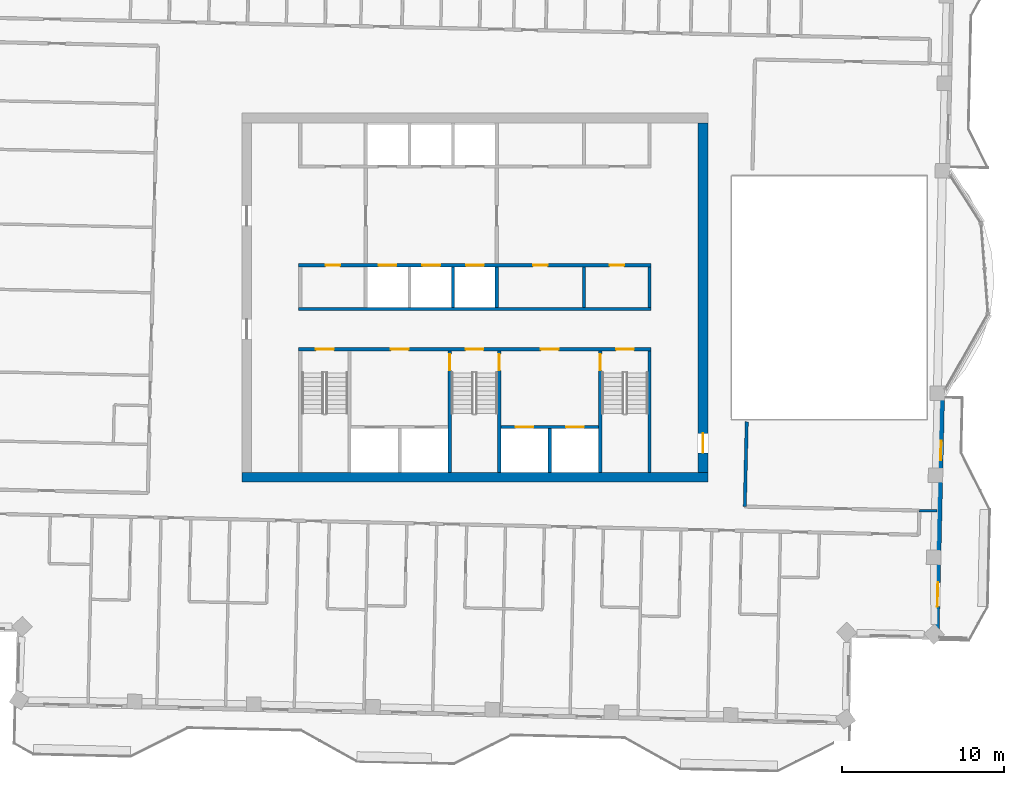
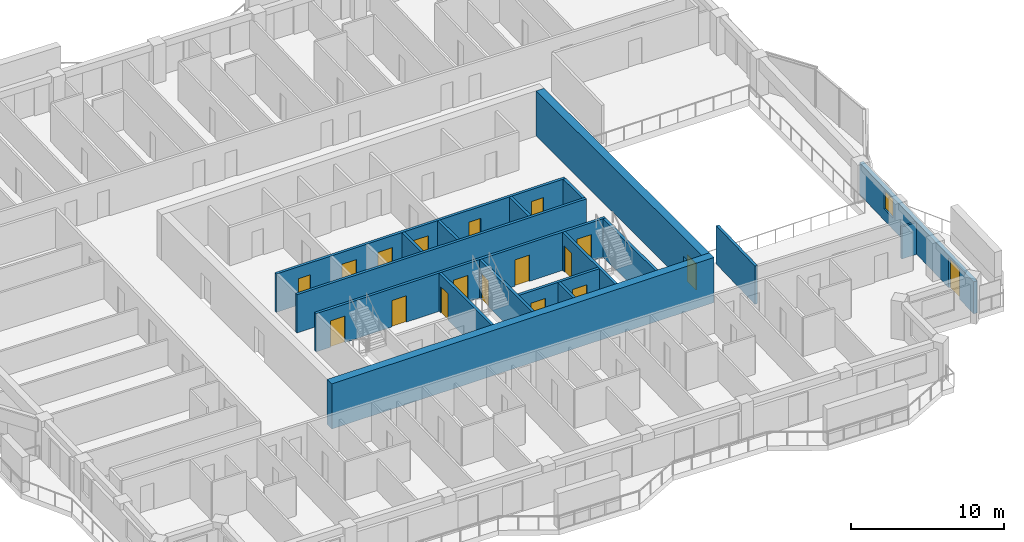
# One storey, part 7 of 15: 18 doors, 18 walls, 1 window, 19 openings.
"""IFC4 building model written with IfcOpenShell, lengths in metres."""

import ifcopenshell
import ifcopenshell.guid

model = None  # the IFC model being written
_history = None  # IfcOwnerHistory: only IFC2X3 demands one
_inside = {}  # id of a spatial element -> (the spatial element, [elements in it])
_under = {}  # id of a project, library or spatial element -> (it, [spatial elements below it])
_declared = {}  # id of a project -> (the project, [libraries it declares])
_typed = {}  # id of a type object -> (the type object, [elements of that type])
_made_of = {}  # id of a material, layer set ... -> (it, [elements and type objects made of it])


def new_model(schema):
    """Start an empty IFC model of exactly this schema.

    Asked for "IFC4X3", IfcOpenShell would pick the latest addendum, in which some entities
    have other attributes; the version numbers below select the first issue.
    IFC2X3 requires an IfcOwnerHistory on every rooted entity: one is made here for all.
    """
    global model, _history
    if schema == "IFC4X3":
        model = ifcopenshell.file(schema_version=(4, 3, 0, 0))
    else:
        model = ifcopenshell.file(schema=schema)
    _inside.clear()
    _under.clear()
    _declared.clear()
    _typed.clear()
    _made_of.clear()
    _history = None
    if model.schema == "IFC2X3":
        org = make("IfcOrganization", Name="unknown")
        user = make(
            "IfcPersonAndOrganization",
            ThePerson=make("IfcPerson", FamilyName="unknown"),
            TheOrganization=org,
        )
        app = make(
            "IfcApplication",
            ApplicationDeveloper=org,
            Version="unknown",
            ApplicationFullName="unknown",
            ApplicationIdentifier="unknown",
        )
        _history = make(
            "IfcOwnerHistory",
            OwningUser=user,
            OwningApplication=app,
            ChangeAction="ADDED",
            CreationDate=0,
        )
    return model


def make(cls, **values):
    """One entity of the class cls with the attributes given. An attribute that is None is left unset."""
    return model.create_entity(
        cls, **{name: value for name, value in values.items() if value is not None}
    )


def rooted(cls, **values):
    """An entity with a GlobalId (a new one), such as an element, a storey or a relation."""
    return make(cls, GlobalId=ifcopenshell.guid.new(), OwnerHistory=_history, **values)


def si_unit(unit_type, name, prefix=None):
    """IfcSIUnit, for example si_unit("LENGTHUNIT", "METRE", prefix="MILLI")."""
    return make("IfcSIUnit", UnitType=unit_type, Prefix=prefix, Name=name)


def assignment(units):
    """IfcUnitAssignment: the units of a project."""
    return None if units is None else make("IfcUnitAssignment", Units=units)


def point(xyz):
    """IfcCartesianPoint."""
    return None if xyz is None else make("IfcCartesianPoint", Coordinates=xyz)


def direction(xyz):
    """IfcDirection."""
    return None if xyz is None else make("IfcDirection", DirectionRatios=xyz)


def frame(location, z_axis=None, x_axis=None):
    """IfcAxis2Placement3D, a coordinate frame: its origin and axes. An axis left out is left unset."""
    return make(
        "IfcAxis2Placement3D",
        Location=point(location),
        Axis=direction(z_axis),
        RefDirection=direction(x_axis),
    )


def frame_2d(location, x_axis=None):
    """IfcAxis2Placement2D, a coordinate frame in the plane: its origin and x axis."""
    return make(
        "IfcAxis2Placement2D", Location=point(location), RefDirection=direction(x_axis)
    )


def origin():
    """The frame at (0, 0, 0) with its axes left unset."""
    return frame((0.0, 0.0, 0.0))


def place(relative_to, where):
    """IfcLocalPlacement: puts the frame where relative to a parent placement (None: the world)."""
    return make(
        "IfcLocalPlacement", PlacementRelTo=relative_to, RelativePlacement=where
    )


def context(
    kind, dimensions, precision=None, world=None, true_north=None, identifier=None
):
    """IfcGeometricRepresentationContext, for example the 3D "Model" context."""
    return make(
        "IfcGeometricRepresentationContext",
        ContextIdentifier=identifier,
        ContextType=kind,
        CoordinateSpaceDimension=dimensions,
        Precision=precision,
        WorldCoordinateSystem=world,
        TrueNorth=true_north,
    )


def subcontext(parent, identifier, kind, view, scale=None):
    """IfcGeometricRepresentationSubContext, for example "Body" below "Model"."""
    return make(
        "IfcGeometricRepresentationSubContext",
        ContextIdentifier=identifier,
        ContextType=kind,
        ParentContext=parent,
        TargetScale=scale,
        TargetView=view,
    )


def project(units=None, contexts=None):
    """IfcProject with its units and contexts."""
    return rooted(
        "IfcProject",
        Name="project",
        RepresentationContexts=contexts,
        UnitsInContext=assignment(units),
    )


def spatial(cls, under=None, at=None, **own):
    """A site, building, storey or space (cls), placed at a placement, below another one or the project."""
    s = rooted(cls, ObjectPlacement=at, **own)
    if under is not None:
        _under.setdefault(under.id(), (under, []))[1].append(s)
    return s


def profile(cls, at=None, kind="AREA", **sizes):
    """A parametric profile (cls). Its sizes go by their IFC names, for example OverallWidth=200.0."""
    return make(cls, ProfileType=kind, Position=at, **sizes)


def rectangle(**sizes):
    """IfcRectangleProfileDef."""
    return profile("IfcRectangleProfileDef", **sizes)


def extrude(swept, where, along, depth):
    """IfcExtrudedAreaSolid: the profile swept, set in the frame where, extruded along a direction by depth."""
    return make(
        "IfcExtrudedAreaSolid",
        SweptArea=swept,
        Position=where,
        ExtrudedDirection=direction(along),
        Depth=depth,
    )


def shape(context_of_items, identifier, shape_type, items):
    """IfcShapeRepresentation: the items that make up one representation, for example the "Body"."""
    return make(
        "IfcShapeRepresentation",
        ContextOfItems=context_of_items,
        RepresentationIdentifier=identifier,
        RepresentationType=shape_type,
        Items=items,
    )


def material(Name=None, Category=None):
    """IfcMaterial."""
    return make("IfcMaterial", Name=Name, Category=Category)


def layer(
    of_material, thickness, ventilated=None, Name=None, Category=None, Priority=None
):
    """IfcMaterialLayer: one layer of a wall or slab, of a material (None: an air gap)."""
    return make(
        "IfcMaterialLayer",
        Material=of_material,
        LayerThickness=thickness,
        IsVentilated=ventilated,
        Name=Name,
        Category=Category,
        Priority=Priority,
    )


def layer_set(layers, Name=None):
    """IfcMaterialLayerSet."""
    return make("IfcMaterialLayerSet", MaterialLayers=layers, LayerSetName=Name)


def made_of(thing, what):
    """Note that an element or type object is made of a material, layer set ...; save() writes the relation."""
    if what is not None:
        _made_of.setdefault(what.id(), (what, []))[1].append(thing)
    return thing


def type_object(cls, material=None, **own):
    """A type object (cls), such as IfcWallType, which elements share."""
    return made_of(rooted(cls, **own), material)


def element(
    cls,
    number,
    at=None,
    inside=None,
    cuts=None,
    type_object=None,
    material=None,
    context=None,
    identifier="Body",
    shape_type=None,
    held_by="IfcProductDefinitionShape",
    body=None,
    shapes=None,
    **own,
):
    """One element of the class cls, such as IfcWall. Its Tag is "e" and its number.

    at: its placement. inside: the storey or other place that contains it. cuts: it is an
    opening in that element (IfcRelVoidsElement). A single representation is given by context,
    identifier, shape_type and body (its items); several are given by shapes. held_by: the class
    of the entity that holds the representations. save() writes the other relations.
    """
    e = rooted(cls, Tag="e%d" % number, ObjectPlacement=at, **own)
    if body is not None:
        shapes = [shape(context, identifier, shape_type, body)]
    if shapes is not None:
        e.Representation = make(held_by, Representations=shapes)
    if inside is not None:
        _inside.setdefault(inside.id(), (inside, []))[1].append(e)
    if cuts is not None:
        rooted(
            "IfcRelVoidsElement", RelatingBuildingElement=cuts, RelatedOpeningElement=e
        )
    if type_object is not None:
        _typed.setdefault(type_object.id(), (type_object, []))[1].append(e)
    return made_of(e, material)


def fill(opening, filler):
    """IfcRelFillsElement: the door or window that sits in an opening."""
    return rooted(
        "IfcRelFillsElement",
        RelatingOpeningElement=opening,
        RelatedBuildingElement=filler,
    )


def aggregate(whole, parts):
    """IfcRelAggregates: a whole, such as a stair, and the parts it consists of."""
    return rooted("IfcRelAggregates", RelatingObject=whole, RelatedObjects=parts)


def save(model, path):
    """Write the relations noted so far, then the file.

    IfcRelAggregates (storeys below a building ...), IfcRelContainedInSpatialStructure (elements
    in a storey), IfcRelDefinesByType, IfcRelAssociatesMaterial and IfcRelDeclares: one each for
    every whole, place, type object, material and project.
    """
    for whole, parts in _under.values():
        aggregate(whole, parts)
    for where, things in _inside.values():
        rooted(
            "IfcRelContainedInSpatialStructure",
            RelatedElements=things,
            RelatingStructure=where,
        )
    for kind, things in _typed.values():
        rooted("IfcRelDefinesByType", RelatedObjects=things, RelatingType=kind)
    for what, things in _made_of.values():
        rooted("IfcRelAssociatesMaterial", RelatedObjects=things, RelatingMaterial=what)
    for by, libraries in _declared.values():
        rooted("IfcRelDeclares", RelatingContext=by, RelatedDefinitions=libraries)
    model.write(path)


model = new_model("IFC4")

# Units and contexts
model_context = context("Model", 3, precision=1e-05, world=origin(), true_north=direction((0.0, 1.0)))
body_context = subcontext(model_context, "Body", "Model", "MODEL_VIEW")
ifc_project = project(units=[si_unit("LENGTHUNIT", "METRE"), si_unit("AREAUNIT", "SQUARE_METRE"), si_unit("VOLUMEUNIT", "CUBIC_METRE"), si_unit("PLANEANGLEUNIT", "RADIAN"), si_unit("MASSUNIT", "GRAM", prefix="KILO")], contexts=[model_context])

# Site, building, storey
site_placement = place(None, origin())
site = spatial("IfcSite", under=ifc_project, at=site_placement, CompositionType="ELEMENT")
building_placement = place(site_placement, origin())
building = spatial("IfcBuilding", under=site, at=building_placement, Name="Mangrove Gate Tower", CompositionType="ELEMENT")
storey_placement = place(building_placement, frame((0.0, 0.0, 313.300048828125)))
storey = spatial("IfcBuildingStorey", under=building, at=storey_placement, Name="L80", CompositionType="ELEMENT", Elevation=313.300048828125)

# Walls
ifc_material_1 = material(Name="Concrete C32/40", Category="concrete")
ifc_layer_1 = layer(ifc_material_1, 0.199951171875)
ifc_layer_set_1 = layer_set([ifc_layer_1], Name="Core room wall 200 C32/40")
wall_type_1 = type_object("IfcWallType", Name="Core room wall 200 C32/40", PredefinedType="STANDARD", material=ifc_layer_set_1)
for number, where, z_axis, x_axis, name in (
    (1, (6.75, -0.60009765625, 0.0), (0.0, 0.0, 1.0), (0.0, 1.0, 0.0), "WALL-L80-CORE-24"),
    (2, (10.800048828125, -0.60009765625, 0.0), (0.0, 0.0, 1.0), (0.0, 1.0, 0.0), "WALL-L80-CORE-25"),
):
    element("IfcWall", number, at=place(storey_placement, frame(where, z_axis=z_axis, x_axis=x_axis)), inside=storey, type_object=wall_type_1, Name=name, PredefinedType="STANDARD", context=body_context, shape_type="SweptSolid", body=[
        extrude(rectangle(XDim=2.5, YDim=0.199951171875, at=frame_2d((1.25, 0.0))), origin(), (0.0, 0.0, 1.0), 3.050048828125),
    ])
ifc_material_2 = material(Name="Concrete C50/60", Category="concrete")
ifc_layer_2 = layer(ifc_material_2, 0.199951171875)
ifc_layer_set_2 = layer_set([ifc_layer_2], Name="Core shaft wall 200 C50/60")
wall_type_2 = type_object("IfcWallType", Name="Core shaft wall 200 C50/60", PredefinedType="SHEAR", material=ifc_layer_set_2)
wall_1_placement = place(storey_placement, frame((-10.89990234375, -0.699951171875, 0.0), z_axis=(0.0, 0.0, 1.0), x_axis=(1.0, 0.0, 0.0)))
element("IfcWall", 3, at=wall_1_placement, inside=storey, type_object=wall_type_2, Name="WALL-L80-CORE-6", PredefinedType="SHEAR", context=body_context, shape_type="SweptSolid", body=[
    extrude(rectangle(XDim=21.7998046875, YDim=0.199951171875, at=frame_2d((10.89990234375, 0.0))), origin(), (0.0, 0.0, 1.0), 3.050048828125),
])

# Wall, openings, doors
wall_2_placement = place(storey_placement, frame((-10.89990234375, 2.0, 0.0), z_axis=(0.0, 0.0, 1.0), x_axis=(1.0, 0.0, 0.0)))
wall_2 = element("IfcWall", 4, at=wall_2_placement, inside=storey, type_object=wall_type_2, Name="WALL-L80-CORE-7", PredefinedType="SHEAR", context=body_context, shape_type="SweptSolid", body=[
    extrude(rectangle(XDim=21.7998046875, YDim=0.199951171875, at=frame_2d((10.89990234375, 0.0))), origin(), (0.0, 0.0, 1.0), 3.050048828125),
])
opening_1_placement = place(wall_2_placement, frame((4.949951171875, 0.0, 0.0)))
opening_1 = element("IfcOpeningElement", 5, at=opening_1_placement, cuts=wall_2, Name="Opening LD", PredefinedType="OPENING", context=body_context, shape_type="SweptSolid", body=[
    extrude(rectangle(XDim=1.10009765625, YDim=2.10009765625, at=frame_2d((0.550048828125, 1.050048828125))), frame((0.0, 0.10986328125, 0.0), z_axis=(0.0, -1.0, 0.0), x_axis=(1.0, 0.0, 0.0)), (0.0, 0.0, 1.0), 0.219970703125),
])
opening_2_placement = place(wall_2_placement, frame((7.64990234375, 0.0, 0.0)))
opening_2 = element("IfcOpeningElement", 6, at=opening_2_placement, cuts=wall_2, Name="Opening LD", PredefinedType="OPENING", context=body_context, shape_type="SweptSolid", body=[
    extrude(rectangle(XDim=1.10009765625, YDim=2.10009765625, at=frame_2d((0.550048828125, 1.050048828125))), frame((0.0, 0.10986328125, 0.0), z_axis=(0.0, -1.0, 0.0), x_axis=(1.0, 0.0, 0.0)), (0.0, 0.0, 1.0), 0.219970703125),
])
opening_3_placement = place(wall_2_placement, frame((10.35009765625, 0.0, 0.0)))
opening_3 = element("IfcOpeningElement", 7, at=opening_3_placement, cuts=wall_2, Name="Opening LD", PredefinedType="OPENING", context=body_context, shape_type="SweptSolid", body=[
    extrude(rectangle(XDim=1.10009765625, YDim=2.10009765625, at=frame_2d((0.550048828125, 1.050048828125))), frame((0.0, 0.10986328125, 0.0), z_axis=(0.0, -1.0, 0.0), x_axis=(1.0, 0.0, 0.0)), (0.0, 0.0, 1.0), 0.219970703125),
])
opening_4_placement = place(wall_2_placement, frame((1.675048828125, 0.0, 0.0)))
opening_4 = element("IfcOpeningElement", 8, at=opening_4_placement, cuts=wall_2, Name="Opening KD", PredefinedType="OPENING", context=body_context, shape_type="SweptSolid", body=[
    extrude(rectangle(XDim=0.89990234375, YDim=2.10009765625, at=frame_2d((0.449951171875, 1.050048828125))), frame((0.0, 0.10986328125, 0.0), z_axis=(0.0, -1.0, 0.0), x_axis=(1.0, 0.0, 0.0)), (0.0, 0.0, 1.0), 0.219970703125),
])
opening_5_placement = place(wall_2_placement, frame((14.5, 0.0, 0.0)))
opening_5 = element("IfcOpeningElement", 9, at=opening_5_placement, cuts=wall_2, Name="Opening KD", PredefinedType="OPENING", context=body_context, shape_type="SweptSolid", body=[
    extrude(rectangle(XDim=0.89990234375, YDim=2.10009765625, at=frame_2d((0.449951171875, 1.050048828125))), frame((0.0, 0.10986328125, 0.0), z_axis=(0.0, -1.0, 0.0), x_axis=(1.0, 0.0, 0.0)), (0.0, 0.0, 1.0), 0.219970703125),
])
opening_6_placement = place(wall_2_placement, frame((19.22509765625, 0.0, 0.0)))
opening_6 = element("IfcOpeningElement", 10, at=opening_6_placement, cuts=wall_2, Name="Opening RD", PredefinedType="OPENING", context=body_context, shape_type="SweptSolid", body=[
    extrude(rectangle(XDim=0.89990234375, YDim=2.10009765625, at=frame_2d((0.449951171875, 1.050048828125))), frame((0.0, 0.10986328125, 0.0), z_axis=(0.0, -1.0, 0.0), x_axis=(1.0, 0.0, 0.0)), (0.0, 0.0, 1.0), 0.219970703125),
])
ifc_material_3 = material(Name="Fire-rated steel door set", Category="steel")
door_type_1 = type_object("IfcDoorType", Name="Core room door FD30S 900x2100", OperationType="SINGLE_SWING_RIGHT", PredefinedType="DOOR", material=ifc_material_3)
door_1_placement = place(opening_4_placement, origin())
door_1 = element("IfcDoor", 11, at=door_1_placement, inside=storey, type_object=door_type_1, Name="Core room door Cleaner's store", OperationType="SINGLE_SWING_RIGHT", OverallHeight=2.10009765625, OverallWidth=0.89990234375, PredefinedType="DOOR", context=body_context, shape_type="SweptSolid", body=[
    extrude(rectangle(XDim=0.89990234375, YDim=2.10009765625, at=frame_2d((0.449951171875, 1.050048828125))), frame((0.0, 0.02490234375, 0.0), z_axis=(0.0, -1.0, 0.0), x_axis=(1.0, 0.0, 0.0)), (0.0, 0.0, 1.0), 0.050048828125),
])
fill(opening_4, door_1)
door_2_placement = place(opening_5_placement, origin())
door_2 = element("IfcDoor", 12, at=door_2_placement, inside=storey, type_object=door_type_1, Name="Core room door Refuse store", OperationType="SINGLE_SWING_RIGHT", OverallHeight=2.10009765625, OverallWidth=0.89990234375, PredefinedType="DOOR", context=body_context, shape_type="SweptSolid", body=[
    extrude(rectangle(XDim=0.89990234375, YDim=2.10009765625, at=frame_2d((0.449951171875, 1.050048828125))), frame((0.0, 0.02490234375, 0.0), z_axis=(0.0, -1.0, 0.0), x_axis=(1.0, 0.0, 0.0)), (0.0, 0.0, 1.0), 0.050048828125),
])
fill(opening_5, door_2)
ifc_material_4 = material(Name="Stainless steel 316", Category="steel")
door_type_2 = type_object("IfcDoorType", Name="Lift landing door 1100x2100", OperationType="SLIDING_TO_LEFT", PredefinedType="DOOR", material=ifc_material_4)
door_3_placement = place(opening_1_placement, origin())
door_3 = element("IfcDoor", 13, at=door_3_placement, inside=storey, type_object=door_type_2, Name="Landing door LD H01", OperationType="SLIDING_TO_LEFT", OverallHeight=2.10009765625, OverallWidth=1.10009765625, PredefinedType="DOOR", context=body_context, shape_type="SweptSolid", body=[
    extrude(rectangle(XDim=1.10009765625, YDim=2.10009765625, at=frame_2d((0.550048828125, 1.050048828125))), frame((0.0, 0.02490234375, 0.0), z_axis=(0.0, -1.0, 0.0), x_axis=(1.0, 0.0, 0.0)), (0.0, 0.0, 1.0), 0.050048828125),
])
fill(opening_1, door_3)
door_4_placement = place(opening_2_placement, origin())
door_4 = element("IfcDoor", 14, at=door_4_placement, inside=storey, type_object=door_type_2, Name="Landing door LD H02", OperationType="SLIDING_TO_LEFT", OverallHeight=2.10009765625, OverallWidth=1.10009765625, PredefinedType="DOOR", context=body_context, shape_type="SweptSolid", body=[
    extrude(rectangle(XDim=1.10009765625, YDim=2.10009765625, at=frame_2d((0.550048828125, 1.050048828125))), frame((0.0, 0.02490234375, 0.0), z_axis=(0.0, -1.0, 0.0), x_axis=(1.0, 0.0, 0.0)), (0.0, 0.0, 1.0), 0.050048828125),
])
fill(opening_2, door_4)
door_5_placement = place(opening_3_placement, origin())
door_5 = element("IfcDoor", 15, at=door_5_placement, inside=storey, type_object=door_type_2, Name="Landing door LD H03", OperationType="SLIDING_TO_LEFT", OverallHeight=2.10009765625, OverallWidth=1.10009765625, PredefinedType="DOOR", context=body_context, shape_type="SweptSolid", body=[
    extrude(rectangle(XDim=1.10009765625, YDim=2.10009765625, at=frame_2d((0.550048828125, 1.050048828125))), frame((0.0, 0.02490234375, 0.0), z_axis=(0.0, -1.0, 0.0), x_axis=(1.0, 0.0, 0.0)), (0.0, 0.0, 1.0), 0.050048828125),
])
fill(opening_3, door_5)
ifc_material_5 = material(Name="Fire-rated steel door set", Category="steel")
door_type_3 = type_object("IfcDoorType", Name="Riser door FD30S 900x2100", OperationType="SINGLE_SWING_LEFT", PredefinedType="DOOR", material=ifc_material_5)
door_6_placement = place(opening_6_placement, origin())
door_6 = element("IfcDoor", 16, at=door_6_placement, inside=storey, type_object=door_type_3, Name="Riser door Electrical room", OperationType="SINGLE_SWING_LEFT", OverallHeight=2.10009765625, OverallWidth=0.89990234375, PredefinedType="DOOR", context=body_context, shape_type="SweptSolid", body=[
    extrude(rectangle(XDim=0.89990234375, YDim=2.10009765625, at=frame_2d((0.449951171875, 1.050048828125))), frame((0.0, 0.02490234375, 0.0), z_axis=(0.0, -1.0, 0.0), x_axis=(1.0, 0.0, 0.0)), (0.0, 0.0, 1.0), 0.050048828125),
])
fill(opening_6, door_6)

wall_3_placement = place(storey_placement, frame((1.60009765625, -8.0, 0.0), z_axis=(0.0, 0.0, 1.0), x_axis=(1.0, 0.0, 0.0)))
wall_3 = element("IfcWall", 17, at=wall_3_placement, inside=storey, type_object=wall_type_2, Name="WALL-L80-CORE-17", PredefinedType="SHEAR", context=body_context, shape_type="SweptSolid", body=[
    extrude(rectangle(XDim=6.0498046875, YDim=0.199951171875, at=frame_2d((3.02490234375, 0.0))), origin(), (0.0, 0.0, 1.0), 3.050048828125),
])
opening_7_placement = place(wall_3_placement, frame((0.91259765625, 0.0, 0.0)))
opening_7 = element("IfcOpeningElement", 18, at=opening_7_placement, cuts=wall_3, Name="Opening LD", PredefinedType="OPENING", context=body_context, shape_type="SweptSolid", body=[
    extrude(rectangle(XDim=1.10009765625, YDim=2.10009765625, at=frame_2d((0.550048828125, 1.050048828125))), frame((0.0, 0.10986328125, 0.0), z_axis=(0.0, -1.0, 0.0), x_axis=(1.0, 0.0, 0.0)), (0.0, 0.0, 1.0), 0.219970703125),
])
opening_8_placement = place(wall_3_placement, frame((4.03759765625, 0.0, 0.0)))
opening_8 = element("IfcOpeningElement", 19, at=opening_8_placement, cuts=wall_3, Name="Opening LD", PredefinedType="OPENING", context=body_context, shape_type="SweptSolid", body=[
    extrude(rectangle(XDim=1.10009765625, YDim=2.10009765625, at=frame_2d((0.550048828125, 1.050048828125))), frame((0.0, 0.10986328125, 0.0), z_axis=(0.0, -1.0, 0.0), x_axis=(1.0, 0.0, 0.0)), (0.0, 0.0, 1.0), 0.219970703125),
])
door_7_placement = place(opening_7_placement, origin())
door_7 = element("IfcDoor", 20, at=door_7_placement, inside=storey, type_object=door_type_2, Name="Landing door LD FFL1", OperationType="SLIDING_TO_LEFT", OverallHeight=2.10009765625, OverallWidth=1.10009765625, PredefinedType="DOOR", context=body_context, shape_type="SweptSolid", body=[
    extrude(rectangle(XDim=1.10009765625, YDim=2.10009765625, at=frame_2d((0.550048828125, 1.050048828125))), frame((0.0, 0.02490234375, 0.0), z_axis=(0.0, -1.0, 0.0), x_axis=(1.0, 0.0, 0.0)), (0.0, 0.0, 1.0), 0.050048828125),
])
fill(opening_7, door_7)
door_8_placement = place(opening_8_placement, origin())
door_8 = element("IfcDoor", 21, at=door_8_placement, inside=storey, type_object=door_type_2, Name="Landing door LD FFL2", OperationType="SLIDING_TO_LEFT", OverallHeight=2.10009765625, OverallWidth=1.10009765625, PredefinedType="DOOR", context=body_context, shape_type="SweptSolid", body=[
    extrude(rectangle(XDim=1.10009765625, YDim=2.10009765625, at=frame_2d((0.550048828125, 1.050048828125))), frame((0.0, 0.02490234375, 0.0), z_axis=(0.0, -1.0, 0.0), x_axis=(1.0, 0.0, 0.0)), (0.0, 0.0, 1.0), 0.050048828125),
])
fill(opening_8, door_8)

# Walls
wall_4_placement = place(storey_placement, frame((4.625, -10.800048828125, 0.0), z_axis=(0.0, 0.0, 1.0), x_axis=(0.0, 1.0, 0.0)))
element("IfcWall", 22, at=wall_4_placement, inside=storey, type_object=wall_type_2, Name="WALL-L80-CORE-18", PredefinedType="SHEAR", context=body_context, shape_type="SweptSolid", body=[
    extrude(rectangle(XDim=2.699951171875, YDim=0.199951171875, at=frame_2d((1.35009765625, 0.0))), origin(), (0.0, 0.0, 1.0), 3.050048828125),
])
for number, where, z_axis, x_axis, name in (
    (23, (-1.35009765625, -0.60009765625, 0.0), (0.0, 0.0, 1.0), (0.0, 1.0, 0.0), "WALL-L80-CORE-22"),
    (24, (1.35009765625, -0.60009765625, 0.0), (0.0, 0.0, 1.0), (0.0, 1.0, 0.0), "WALL-L80-CORE-23"),
):
    element("IfcWall", number, at=place(storey_placement, frame(where, z_axis=z_axis, x_axis=x_axis)), inside=storey, type_object=wall_type_2, Name=name, PredefinedType="SHEAR", context=body_context, shape_type="SweptSolid", body=[
        extrude(rectangle(XDim=2.5, YDim=0.199951171875, at=frame_2d((1.25, 0.0))), origin(), (0.0, 0.0, 1.0), 3.050048828125),
    ])

# Wall, openings, doors
ifc_material_6 = material(Name="Concrete C50/60", Category="concrete")
ifc_layer_3 = layer(ifc_material_6, 0.199951171875)
ifc_layer_set_3 = layer_set([ifc_layer_3], Name="Core stair wall 200 C50/60")
wall_type_3 = type_object("IfcWallType", Name="Core stair wall 200 C50/60", PredefinedType="SHEAR", material=ifc_layer_set_3)
wall_5_placement = place(storey_placement, frame((-10.89990234375, -3.199951171875, 0.0), z_axis=(0.0, 0.0, 1.0), x_axis=(1.0, 0.0, 0.0)))
wall_5 = element("IfcWall", 25, at=wall_5_placement, inside=storey, type_object=wall_type_3, Name="WALL-L80-CORE-5", PredefinedType="SHEAR", context=body_context, shape_type="SweptSolid", body=[
    extrude(rectangle(XDim=21.7998046875, YDim=0.199951171875, at=frame_2d((10.89990234375, 0.0))), origin(), (0.0, 0.0, 1.0), 3.050048828125),
])
opening_9_placement = place(wall_5_placement, frame((1.074951171875, 0.0, 0.0)))
opening_9 = element("IfcOpeningElement", 26, at=opening_9_placement, cuts=wall_5, Name="Opening STD11", PredefinedType="OPENING", context=body_context, shape_type="SweptSolid", body=[
    extrude(rectangle(XDim=1.10009765625, YDim=2.10009765625, at=frame_2d((0.550048828125, 1.050048828125))), frame((0.0, 0.10986328125, 0.0), z_axis=(0.0, -1.0, 0.0), x_axis=(1.0, 0.0, 0.0)), (0.0, 0.0, 1.0), 0.219970703125),
])
opening_10_placement = place(wall_5_placement, frame((10.324951171875, 0.0, 0.0)))
opening_10 = element("IfcOpeningElement", 27, at=opening_10_placement, cuts=wall_5, Name="Opening STD11", PredefinedType="OPENING", context=body_context, shape_type="SweptSolid", body=[
    extrude(rectangle(XDim=1.10009765625, YDim=2.10009765625, at=frame_2d((0.550048828125, 1.050048828125))), frame((0.0, 0.10986328125, 0.0), z_axis=(0.0, -1.0, 0.0), x_axis=(1.0, 0.0, 0.0)), (0.0, 0.0, 1.0), 0.219970703125),
])
opening_11_placement = place(wall_5_placement, frame((19.625, 0.0, 0.0)))
opening_11 = element("IfcOpeningElement", 28, at=opening_11_placement, cuts=wall_5, Name="Opening STD11", PredefinedType="OPENING", context=body_context, shape_type="SweptSolid", body=[
    extrude(rectangle(XDim=1.10009765625, YDim=2.10009765625, at=frame_2d((0.550048828125, 1.050048828125))), frame((0.0, 0.10986328125, 0.0), z_axis=(0.0, -1.0, 0.0), x_axis=(1.0, 0.0, 0.0)), (0.0, 0.0, 1.0), 0.219970703125),
])
opening_12_placement = place(wall_5_placement, frame((5.699951171875, 0.0, 0.0)))
opening_12 = element("IfcOpeningElement", 29, at=opening_12_placement, cuts=wall_5, Name="Opening FL", PredefinedType="OPENING", context=body_context, shape_type="SweptSolid", body=[
    extrude(rectangle(XDim=1.10009765625, YDim=2.10009765625, at=frame_2d((0.550048828125, 1.050048828125))), frame((0.0, 0.10986328125, 0.0), z_axis=(0.0, -1.0, 0.0), x_axis=(1.0, 0.0, 0.0)), (0.0, 0.0, 1.0), 0.219970703125),
])
opening_13_placement = place(wall_5_placement, frame((14.97509765625, 0.0, 0.0)))
opening_13 = element("IfcOpeningElement", 30, at=opening_13_placement, cuts=wall_5, Name="Opening FL", PredefinedType="OPENING", context=body_context, shape_type="SweptSolid", body=[
    extrude(rectangle(XDim=1.10009765625, YDim=2.10009765625, at=frame_2d((0.550048828125, 1.050048828125))), frame((0.0, 0.10986328125, 0.0), z_axis=(0.0, -1.0, 0.0), x_axis=(1.0, 0.0, 0.0)), (0.0, 0.0, 1.0), 0.219970703125),
])
ifc_material_7 = material(Name="Fire-rated steel door set", Category="steel")
door_type_4 = type_object("IfcDoorType", Name="Lobby door FD60 1100x2100", OperationType="SINGLE_SWING_LEFT", PredefinedType="DOOR", material=ifc_material_7)
door_9_placement = place(opening_12_placement, origin())
door_9 = element("IfcDoor", 31, at=door_9_placement, inside=storey, type_object=door_type_4, Name="Lobby door service lobby", OperationType="SINGLE_SWING_LEFT", OverallHeight=2.10009765625, OverallWidth=1.10009765625, PredefinedType="DOOR", context=body_context, shape_type="SweptSolid", body=[
    extrude(rectangle(XDim=1.10009765625, YDim=2.10009765625, at=frame_2d((0.550048828125, 1.050048828125))), frame((0.0, 0.02490234375, 0.0), z_axis=(0.0, -1.0, 0.0), x_axis=(1.0, 0.0, 0.0)), (0.0, 0.0, 1.0), 0.050048828125),
])
fill(opening_12, door_9)
door_10_placement = place(opening_13_placement, origin())
door_10 = element("IfcDoor", 32, at=door_10_placement, inside=storey, type_object=door_type_4, Name="Lobby door fire-fighting lobby", OperationType="SINGLE_SWING_LEFT", OverallHeight=2.10009765625, OverallWidth=1.10009765625, PredefinedType="DOOR", context=body_context, shape_type="SweptSolid", body=[
    extrude(rectangle(XDim=1.10009765625, YDim=2.10009765625, at=frame_2d((0.550048828125, 1.050048828125))), frame((0.0, 0.02490234375, 0.0), z_axis=(0.0, -1.0, 0.0), x_axis=(1.0, 0.0, 0.0)), (0.0, 0.0, 1.0), 0.050048828125),
])
fill(opening_13, door_10)
ifc_material_8 = material(Name="Fire-rated steel door set", Category="steel")
door_type_5 = type_object("IfcDoorType", Name="Stair door FD60 1100x2100", OperationType="SINGLE_SWING_RIGHT", PredefinedType="DOOR", material=ifc_material_8)
door_11_placement = place(opening_9_placement, origin())
door_11 = element("IfcDoor", 33, at=door_11_placement, inside=storey, type_object=door_type_5, Name="Stair door Stair 1", OperationType="SINGLE_SWING_RIGHT", OverallHeight=2.10009765625, OverallWidth=1.10009765625, PredefinedType="DOOR", context=body_context, shape_type="SweptSolid", body=[
    extrude(rectangle(XDim=1.10009765625, YDim=2.10009765625, at=frame_2d((0.550048828125, 1.050048828125))), frame((0.0, 0.02490234375, 0.0), z_axis=(0.0, -1.0, 0.0), x_axis=(1.0, 0.0, 0.0)), (0.0, 0.0, 1.0), 0.050048828125),
])
fill(opening_9, door_11)
door_12_placement = place(opening_10_placement, origin())
door_12 = element("IfcDoor", 34, at=door_12_placement, inside=storey, type_object=door_type_5, Name="Stair door Stair 2", OperationType="SINGLE_SWING_RIGHT", OverallHeight=2.10009765625, OverallWidth=1.10009765625, PredefinedType="DOOR", context=body_context, shape_type="SweptSolid", body=[
    extrude(rectangle(XDim=1.10009765625, YDim=2.10009765625, at=frame_2d((0.550048828125, 1.050048828125))), frame((0.0, 0.02490234375, 0.0), z_axis=(0.0, -1.0, 0.0), x_axis=(1.0, 0.0, 0.0)), (0.0, 0.0, 1.0), 0.050048828125),
])
fill(opening_10, door_12)
door_13_placement = place(opening_11_placement, origin())
door_13 = element("IfcDoor", 35, at=door_13_placement, inside=storey, type_object=door_type_5, Name="Stair door Stair 3", OperationType="SINGLE_SWING_RIGHT", OverallHeight=2.10009765625, OverallWidth=1.10009765625, PredefinedType="DOOR", context=body_context, shape_type="SweptSolid", body=[
    extrude(rectangle(XDim=1.10009765625, YDim=2.10009765625, at=frame_2d((0.550048828125, 1.050048828125))), frame((0.0, 0.02490234375, 0.0), z_axis=(0.0, -1.0, 0.0), x_axis=(1.0, 0.0, 0.0)), (0.0, 0.0, 1.0), 0.050048828125),
])
fill(opening_11, door_13)

# Wall, opening, door
wall_6_placement = place(storey_placement, frame((-1.550048828125, -10.800048828125, 0.0), z_axis=(0.0, 0.0, 1.0), x_axis=(0.0, 1.0, 0.0)))
wall_6 = element("IfcWall", 36, at=wall_6_placement, inside=storey, type_object=wall_type_3, Name="WALL-L80-CORE-11", PredefinedType="SHEAR", context=body_context, shape_type="SweptSolid", body=[
    extrude(rectangle(XDim=7.5, YDim=0.199951171875, at=frame_2d((3.75, 0.0))), origin(), (0.0, 0.0, 1.0), 3.050048828125),
])
opening_14_placement = place(wall_6_placement, frame((6.300048828125, 0.0, 0.0)))
opening_14 = element("IfcOpeningElement", 37, at=opening_14_placement, cuts=wall_6, Name="Opening STD10", PredefinedType="OPENING", context=body_context, shape_type="SweptSolid", body=[
    extrude(rectangle(XDim=1.0, YDim=2.10009765625, at=frame_2d((0.5, 1.050048828125))), frame((0.0, 0.10986328125, 0.0), z_axis=(0.0, -1.0, 0.0), x_axis=(1.0, 0.0, 0.0)), (0.0, 0.0, 1.0), 0.219970703125),
])
ifc_material_9 = material(Name="Fire-rated steel door set", Category="steel")
door_type_6 = type_object("IfcDoorType", Name="Stair door FD60 1000x2100", OperationType="SINGLE_SWING_RIGHT", PredefinedType="DOOR", material=ifc_material_9)
door_14_placement = place(opening_14_placement, origin())
door_14 = element("IfcDoor", 38, at=door_14_placement, inside=storey, type_object=door_type_6, Name="Stair door Stair 2 from service lobby", OperationType="SINGLE_SWING_RIGHT", OverallHeight=2.10009765625, OverallWidth=1.0, PredefinedType="DOOR", context=body_context, shape_type="SweptSolid", body=[
    extrude(rectangle(XDim=1.0, YDim=2.10009765625, at=frame_2d((0.5, 1.050048828125))), frame((0.0, 0.02490234375, 0.0), z_axis=(0.0, -1.0, 0.0), x_axis=(1.0, 0.0, 0.0)), (0.0, 0.0, 1.0), 0.050048828125),
])
fill(opening_14, door_14)

wall_7_placement = place(storey_placement, frame((1.5, -10.800048828125, 0.0), z_axis=(0.0, 0.0, 1.0), x_axis=(0.0, 1.0, 0.0)))
wall_7 = element("IfcWall", 39, at=wall_7_placement, inside=storey, type_object=wall_type_3, Name="WALL-L80-CORE-12", PredefinedType="SHEAR", context=body_context, shape_type="SweptSolid", body=[
    extrude(rectangle(XDim=7.5, YDim=0.199951171875, at=frame_2d((3.75, 0.0))), origin(), (0.0, 0.0, 1.0), 3.050048828125),
])
opening_15_placement = place(wall_7_placement, frame((6.300048828125, 0.0, 0.0)))
opening_15 = element("IfcOpeningElement", 40, at=opening_15_placement, cuts=wall_7, Name="Opening STD10", PredefinedType="OPENING", context=body_context, shape_type="SweptSolid", body=[
    extrude(rectangle(XDim=1.0, YDim=2.10009765625, at=frame_2d((0.5, 1.050048828125))), frame((0.0, 0.10986328125, 0.0), z_axis=(0.0, -1.0, 0.0), x_axis=(1.0, 0.0, 0.0)), (0.0, 0.0, 1.0), 0.219970703125),
])
door_15_placement = place(opening_15_placement, origin())
door_15 = element("IfcDoor", 41, at=door_15_placement, inside=storey, type_object=door_type_6, Name="Stair door Stair 2 from fire-fighting lobby", OperationType="SINGLE_SWING_RIGHT", OverallHeight=2.10009765625, OverallWidth=1.0, PredefinedType="DOOR", context=body_context, shape_type="SweptSolid", body=[
    extrude(rectangle(XDim=1.0, YDim=2.10009765625, at=frame_2d((0.5, 1.050048828125))), frame((0.0, 0.02490234375, 0.0), z_axis=(0.0, -1.0, 0.0), x_axis=(1.0, 0.0, 0.0)), (0.0, 0.0, 1.0), 0.050048828125),
])
fill(opening_15, door_15)

wall_8_placement = place(storey_placement, frame((7.75, -10.800048828125, 0.0), z_axis=(0.0, 0.0, 1.0), x_axis=(0.0, 1.0, 0.0)))
wall_8 = element("IfcWall", 42, at=wall_8_placement, inside=storey, type_object=wall_type_3, Name="WALL-L80-CORE-13", PredefinedType="SHEAR", context=body_context, shape_type="SweptSolid", body=[
    extrude(rectangle(XDim=7.5, YDim=0.199951171875, at=frame_2d((3.75, 0.0))), origin(), (0.0, 0.0, 1.0), 3.050048828125),
])
opening_16_placement = place(wall_8_placement, frame((6.300048828125, 0.0, 0.0)))
opening_16 = element("IfcOpeningElement", 43, at=opening_16_placement, cuts=wall_8, Name="Opening STD10", PredefinedType="OPENING", context=body_context, shape_type="SweptSolid", body=[
    extrude(rectangle(XDim=1.0, YDim=2.10009765625, at=frame_2d((0.5, 1.050048828125))), frame((0.0, 0.10986328125, 0.0), z_axis=(0.0, -1.0, 0.0), x_axis=(1.0, 0.0, 0.0)), (0.0, 0.0, 1.0), 0.219970703125),
])
door_16_placement = place(opening_16_placement, origin())
door_16 = element("IfcDoor", 44, at=door_16_placement, inside=storey, type_object=door_type_6, Name="Stair door Stair 3 from fire-fighting lobby", OperationType="SINGLE_SWING_RIGHT", OverallHeight=2.10009765625, OverallWidth=1.0, PredefinedType="DOOR", context=body_context, shape_type="SweptSolid", body=[
    extrude(rectangle(XDim=1.0, YDim=2.10009765625, at=frame_2d((0.5, 1.050048828125))), frame((0.0, 0.02490234375, 0.0), z_axis=(0.0, -1.0, 0.0), x_axis=(1.0, 0.0, 0.0)), (0.0, 0.0, 1.0), 0.050048828125),
])
fill(opening_16, door_16)

# Walls
wall_9_placement = place(storey_placement, frame((10.800048828125, -10.800048828125, 0.0), z_axis=(0.0, 0.0, 1.0), x_axis=(0.0, 1.0, 0.0)))
element("IfcWall", 45, at=wall_9_placement, inside=storey, type_object=wall_type_3, Name="WALL-L80-CORE-14", PredefinedType="SHEAR", context=body_context, shape_type="SweptSolid", body=[
    extrude(rectangle(XDim=7.5, YDim=0.199951171875, at=frame_2d((3.75, 0.0))), origin(), (0.0, 0.0, 1.0), 3.050048828125),
])
ifc_material_10 = material(Name="Concrete C50/60", Category="concrete")
ifc_layer_4 = layer(ifc_material_10, 0.60009765625)
ifc_layer_set_4 = layer_set([ifc_layer_4], Name="Core wall 600 C50/60")
wall_type_4 = type_object("IfcWallType", Name="Core wall 600 C50/60", PredefinedType="SHEAR", material=ifc_layer_set_4)
wall_10_placement = place(storey_placement, frame((-14.39990234375, -11.10009765625, 0.0), z_axis=(0.0, 0.0, 1.0), x_axis=(1.0, 0.0, 0.0)))
element("IfcWall", 46, at=wall_10_placement, inside=storey, type_object=wall_type_4, Name="WALL-L80-CORE-1", PredefinedType="SHEAR", context=body_context, shape_type="SweptSolid", body=[
    extrude(rectangle(XDim=28.7998046875, YDim=0.60009765625, at=frame_2d((14.39990234375, 0.0))), origin(), (0.0, 0.0, 1.0), 3.599853515625),
])

# Wall, opening, door
wall_11_placement = place(storey_placement, frame((14.10009765625, -10.800048828125, 0.0), z_axis=(0.0, 0.0, 1.0), x_axis=(0.0, 1.0, 0.0)))
wall_11 = element("IfcWall", 47, at=wall_11_placement, inside=storey, type_object=wall_type_4, Name="WALL-L80-CORE-4", PredefinedType="SHEAR", context=body_context, shape_type="SweptSolid", body=[
    extrude(rectangle(XDim=21.60009765625, YDim=0.60009765625, at=frame_2d((10.800048828125, 0.0))), origin(), (0.0, 0.0, 1.0), 3.599853515625),
])
opening_17_placement = place(wall_11_placement, frame((1.199951171875, 0.0, 0.0)))
opening_17 = element("IfcOpeningElement", 48, at=opening_17_placement, cuts=wall_11, Name="Opening CD", PredefinedType="OPENING", context=body_context, shape_type="SweptSolid", body=[
    extrude(rectangle(XDim=1.199951171875, YDim=2.10009765625, at=frame_2d((0.60009765625, 1.050048828125))), frame((0.0, 0.31005859375, 0.0), z_axis=(0.0, -1.0, 0.0), x_axis=(1.0, 0.0, 0.0)), (0.0, 0.0, 1.0), 0.6201171875),
])
ifc_material_11 = material(Name="Fire-rated steel door set", Category="steel")
door_type_7 = type_object("IfcDoorType", Name="Core ring door FD60 1200x2100", OperationType="DOUBLE_DOOR_SINGLE_SWING", PredefinedType="DOOR", material=ifc_material_11)
door_17_placement = place(opening_17_placement, origin())
door_17 = element("IfcDoor", 49, at=door_17_placement, inside=storey, type_object=door_type_7, Name="Core ring door E1", OperationType="DOUBLE_DOOR_SINGLE_SWING", OverallHeight=2.10009765625, OverallWidth=1.199951171875, PredefinedType="DOOR", context=body_context, shape_type="SweptSolid", body=[
    extrude(rectangle(XDim=1.199951171875, YDim=2.10009765625, at=frame_2d((0.60009765625, 1.050048828125))), frame((0.0, 0.02490234375, 0.0), z_axis=(0.0, -1.0, 0.0), x_axis=(1.0, 0.0, 0.0)), (0.0, 0.0, 1.0), 0.050048828125),
])
fill(opening_17, door_17)

# Wall
ifc_material_12 = material(Name="Gypsum board on steel stud, EI 60", Category="steel")
ifc_layer_5 = layer(ifc_material_12, 0.199951171875)
ifc_layer_set_5 = layer_set([ifc_layer_5], Name="Corridor wall EI 60")
wall_type_5 = type_object("IfcWallType", Name="Corridor wall EI 60", PredefinedType="PARTITIONING", material=ifc_layer_set_5)
wall_12_placement = place(storey_placement, frame((16.68408203125, -12.9189453125, 0.0), z_axis=(0.0, 0.0, 1.0), x_axis=(0.022667483124, 0.999743059595, 0.0)))
element("IfcWall", 50, at=wall_12_placement, inside=storey, type_object=wall_type_5, Name="WALL-L80-041", PredefinedType="PARTITIONING", context=body_context, shape_type="SweptSolid", body=[
    extrude(rectangle(XDim=5.245361328125, YDim=0.199951171875, at=frame_2d((2.62255859375, 0.0))), origin(), (0.0, 0.0, 1.0), 3.050048828125),
])

# Wall, openings, door, window
ifc_material_13 = material(Name="Limestone", Category="masonry")
ifc_layer_6 = layer(ifc_material_13, 0.0400390625, Name="Limestone cladding")
ifc_material_14 = material(Name="Ventilated air gap")
ifc_layer_7 = layer(ifc_material_14, 0.0400390625, Name="Ventilated cavity")
ifc_material_15 = material(Name="Mineral wool insulation")
ifc_layer_8 = layer(ifc_material_15, 0.06005859375, Name="Insulation")
ifc_material_16 = material(Name="Breather membrane")
ifc_layer_9 = layer(ifc_material_16, 0.001953125, Name="Breather membrane")
ifc_material_17 = material(Name="Concrete C20/25 blockwork", Category="masonry")
ifc_layer_10 = layer(ifc_material_17, 0.14990234375, Name="Blockwork backing wall")
ifc_material_18 = material(Name="Gypsum plaster")
ifc_layer_11 = layer(ifc_material_18, 0.008056640625, Name="Internal plaster")
ifc_layer_set_6 = layer_set([ifc_layer_6, ifc_layer_7, ifc_layer_8, ifc_layer_9, ifc_layer_10, ifc_layer_11], Name="External wall 300 limestone cladding")
wall_type_6 = type_object("IfcWallType", Name="External wall 300 limestone cladding", PredefinedType="SOLIDWALL", material=ifc_layer_set_6)
wall_13_placement = place(storey_placement, frame((28.5439453125, -20.989990234375, 0.0), z_axis=(0.0, 0.0, 1.0), x_axis=(0.02271281838, 0.999742030667, 0.0)))
wall_13 = element("IfcWall", 51, at=wall_13_placement, inside=storey, type_object=wall_type_6, Name="WALL-L80-E0s1", PredefinedType="SOLIDWALL", context=body_context, shape_type="SweptSolid", body=[
    extrude(rectangle(XDim=15.5, YDim=0.300048828125, at=frame_2d((7.75, 0.0))), origin(), (0.0, 0.0, 1.0), 2.550048828125),
])
opening_18_placement = place(wall_13_placement, frame((1.89501953125, 0.0, 0.0)))
opening_18 = element("IfcOpeningElement", 52, at=opening_18_placement, cuts=wall_13, Name="Opening BD1", PredefinedType="OPENING", context=body_context, shape_type="SweptSolid", body=[
    extrude(rectangle(XDim=1.5, YDim=2.39990234375, at=frame_2d((0.75, 1.199951171875))), frame((0.0, 0.159912109375, 0.0), z_axis=(0.0, -1.0, 0.0), x_axis=(1.0, 0.0, 0.0)), (0.0, 0.0, 1.0), 0.320068359375),
])
opening_19_placement = place(wall_13_placement, frame((10.946044921875, 0.0, 0.89990234375)))
opening_19 = element("IfcOpeningElement", 53, at=opening_19_placement, cuts=wall_13, Name="Opening W1", PredefinedType="OPENING", context=body_context, shape_type="SweptSolid", body=[
    extrude(rectangle(XDim=1.199951171875, YDim=1.5, at=frame_2d((0.60009765625, 0.75))), frame((0.0, 0.159912109375, 0.0), z_axis=(0.0, -1.0, 0.0), x_axis=(1.0, 0.0, 0.0)), (0.0, 0.0, 1.0), 0.320068359375),
])
ifc_material_19 = material(Name="Aluminium frame with laminated clear glass", Category="aluminium")
door_type_8 = type_object("IfcDoorType", Name="Balcony sliding door 1500x2400", OperationType="SLIDING_TO_LEFT", PredefinedType="DOOR", material=ifc_material_19)
door_18_placement = place(opening_18_placement, origin())
door_18 = element("IfcDoor", 54, at=door_18_placement, inside=storey, type_object=door_type_8, Name="DOOR-L80-E0-1", OperationType="SLIDING_TO_LEFT", OverallHeight=2.39990234375, OverallWidth=1.5, PredefinedType="DOOR", context=body_context, shape_type="SweptSolid", body=[
    extrude(rectangle(XDim=1.5, YDim=2.39990234375, at=frame_2d((0.75, 1.199951171875))), frame((0.0, 0.02490234375, 0.0), z_axis=(0.0, -1.0, 0.0), x_axis=(1.0, 0.0, 0.0)), (0.0, 0.0, 1.0), 0.050048828125),
])
fill(opening_18, door_18)
ifc_material_20 = material(Name="Aluminium frame with double-glazed low-e glass", Category="aluminium")
window_type = type_object("IfcWindowType", Name="Side lite 1200x1500", PartitioningType="SINGLE_PANEL", PredefinedType="WINDOW", material=ifc_material_20)
window_placement = place(opening_19_placement, origin())
window = element("IfcWindow", 55, at=window_placement, inside=storey, type_object=window_type, Name="WIN-L80-E0-2", OverallHeight=1.5, OverallWidth=1.199951171875, PartitioningType="SINGLE_PANEL", PredefinedType="WINDOW", context=body_context, shape_type="SweptSolid", body=[
    extrude(rectangle(XDim=1.199951171875, YDim=1.5, at=frame_2d((0.60009765625, 0.75))), frame((0.0, 0.030029296875, 0.0), z_axis=(0.0, -1.0, 0.0), x_axis=(1.0, 0.0, 0.0)), (0.0, 0.0, 1.0), 0.06005859375),
])
fill(opening_19, window)

# Wall
ifc_material_21 = material(Name="Gypsum board on steel stud, EI 60", Category="steel")
ifc_layer_12 = layer(ifc_material_21, 0.14990234375)
ifc_layer_set_7 = layer_set([ifc_layer_12], Name="Party wall 150 EI 60")
wall_type_7 = type_object("IfcWallType", Name="Party wall 150 EI 60", PredefinedType="PARTITIONING", material=ifc_layer_set_7)
wall_14_placement = place(storey_placement, frame((27.467041015625, -13.1630859375, 0.0), z_axis=(0.0, 0.0, 1.0), x_axis=(0.999745701647, -0.022550654924, 0.0)))
element("IfcWall", 56, at=wall_14_placement, inside=storey, type_object=wall_type_7, Name="WALL-L80-042", PredefinedType="PARTITIONING", context=body_context, shape_type="SweptSolid", body=[
    extrude(rectangle(XDim=1.104248046875, YDim=0.14990234375, at=frame_2d((0.55224609375, 0.0))), origin(), (0.0, 0.0, 1.0), 2.550048828125),
])

save(model, "model.ifc")
